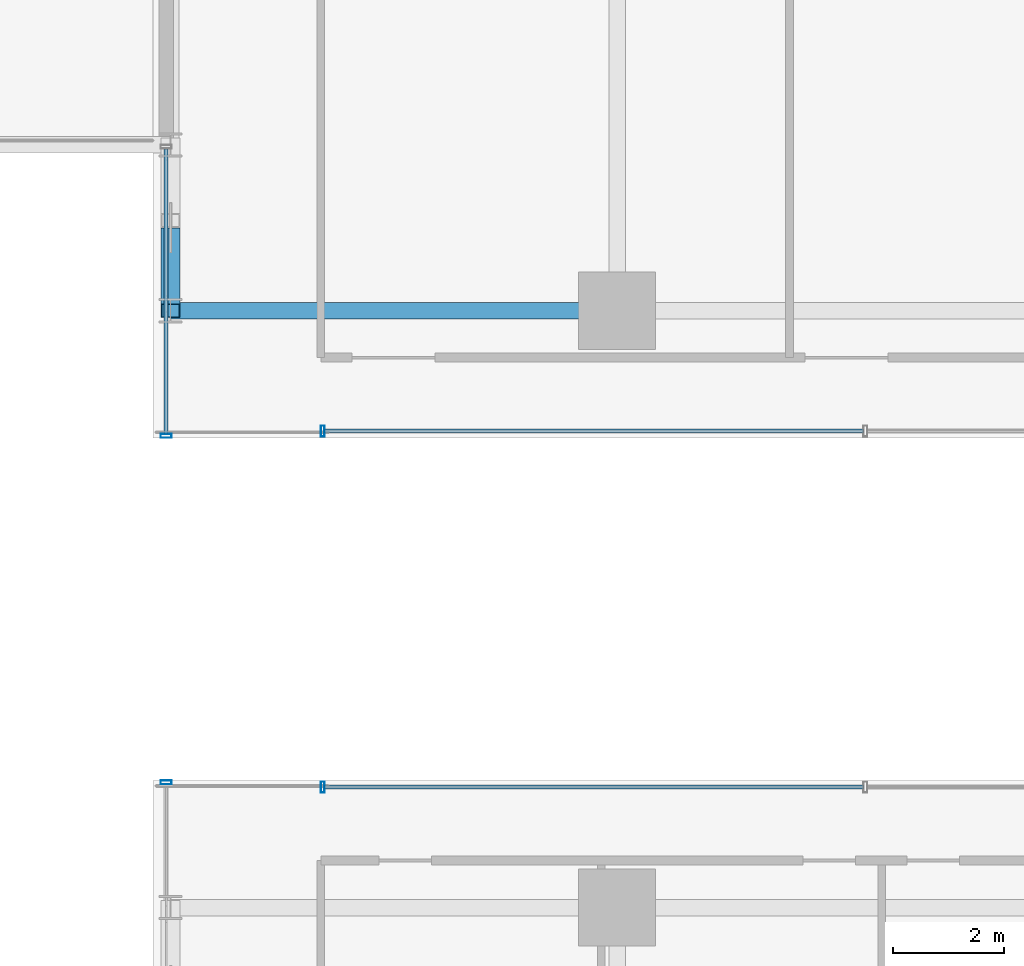
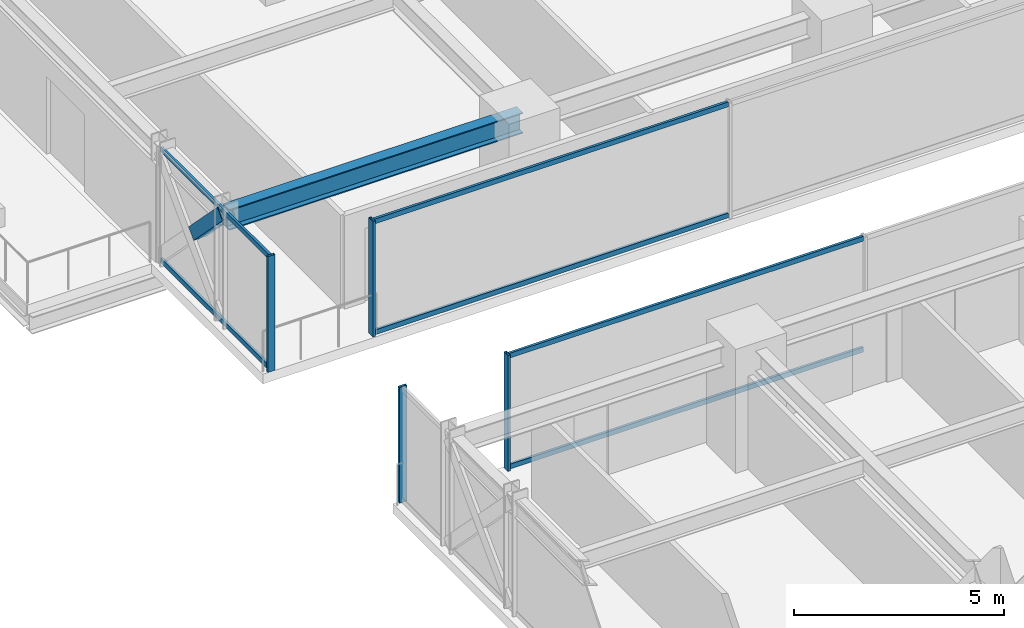
# One storey, part 7 of 43: 11 members, 1 beam, 4 elements without a shape of their own.
"""IFC4 building model written with IfcOpenShell, lengths in metres."""

from ifc_helpers import new_model, si_unit, direction, frame, origin, origin_2d, place, context, subcontext, project, spatial, hollow_rectangle, i_section, extrude, source, transform, mapped, material, material_profile, profile_set, type_object, element, aggregate, save


model = new_model("IFC4")

# Units and contexts
model_context = context("Model", 3, precision=1e-05, world=origin(), true_north=direction((0.0, 1.0)))
body_context = subcontext(model_context, "Body", "Model", "MODEL_VIEW")
ifc_project = project(units=[si_unit("LENGTHUNIT", "METRE"), si_unit("AREAUNIT", "SQUARE_METRE"), si_unit("VOLUMEUNIT", "CUBIC_METRE"), si_unit("PLANEANGLEUNIT", "RADIAN"), si_unit("MASSUNIT", "GRAM", prefix="KILO")], contexts=[model_context])

# Site, building, storey
site_placement = place(None, origin())
site = spatial("IfcSite", under=ifc_project, at=site_placement, CompositionType="ELEMENT")
building_placement = place(site_placement, origin())
building = spatial("IfcBuilding", under=site, at=building_placement, Name="Nahalor Promenade Grand Hotel", CompositionType="ELEMENT")
storey_placement = place(building_placement, frame((0.0, 0.0, 47.0)))
storey = spatial("IfcBuildingStorey", under=building, at=storey_placement, Name="L10", CompositionType="ELEMENT", Elevation=47.0)

# Beam
ifc_material_1 = material(Name="Steel S355JR", Category="steel")
ifc_material_profile_1 = material_profile(ifc_material_1, i_section(OverallWidth=0.3, OverallDepth=0.6, WebThickness=0.0155, FlangeThickness=0.03, at=origin_2d()), Name="HEB 600")
ifc_profile_set_1 = profile_set([ifc_material_profile_1], Name="Steel S355JR")
beam_type = type_object("IfcBeamType", Name="Beam-Girder-HEB600", PredefinedType="BEAM", material=ifc_profile_set_1)
shared_shape_1 = source(origin(), body_context, "Body", "SweptSolid", [
    extrude(i_section(OverallWidth=0.3, OverallDepth=0.6, WebThickness=0.0155, FlangeThickness=0.03, at=origin_2d()), origin(), (0.0, 0.0, 1.0), 8.080078125),
])
beam_placement = place(storey_placement, frame((-25.080078125, 5.39990234375, 3.070068359375), z_axis=(1.0, 0.0, 0.0), x_axis=(0.0, 1.0, 0.0)))
element("IfcBeam", 1, at=beam_placement, inside=storey, type_object=beam_type, Name="BM-L10-GX-2-0", PredefinedType="BEAM", context=body_context, shape_type="MappedRepresentation", body=[
    mapped(shared_shape_1, transform((0.0, 0.0, 0.0), scale=1.0)),
])

# Member
ifc_material_profile_2 = material_profile(ifc_material_1, hollow_rectangle(XDim=0.35, YDim=0.35, WallThickness=0.02, at=origin_2d()), Name="SHS 350x350x20")
ifc_profile_set_2 = profile_set([ifc_material_profile_2], Name="Steel S355JR")
member_type_1 = type_object("IfcMemberType", Name="Mem-VoidBrace-SHS350", PredefinedType="BRACE", material=ifc_profile_set_2)
shared_shape_2 = source(origin(), body_context, "Body", "SweptSolid", [
    extrude(hollow_rectangle(XDim=0.35, YDim=0.35, WallThickness=0.02, at=origin_2d()), origin(), (0.0, 0.0, 1.0), 1.959228515625),
])
member_1_placement = place(storey_placement, frame((-25.080078125, 6.769287109375, 1.81884765625), z_axis=(0.0, -0.698960471031, 0.715160303663), x_axis=(1.0, 0.0, 0.0)))
element("IfcMember", 2, at=member_1_placement, inside=storey, type_object=member_type_1, Name="EXO-L10-VX2-W1B", PredefinedType="BRACE", context=body_context, shape_type="MappedRepresentation", body=[
    mapped(shared_shape_2, transform((0.0, 0.0, 0.0), scale=1.0)),
])

# Curtain wall, members
ifc_material_2 = material(Name="Anodised Bronze Aluminium EN AW-6063 T6", Category="aluminium")
curtain_wall_type = type_object("IfcCurtainWallType", Name="CW3 Elliptical-Void Collar Unitised Curtain Wall", PredefinedType="USERDEFINED", material=ifc_material_2)
curtain_wall_1_placement = place(storey_placement, origin())
curtain_wall_1 = element("IfcCurtainWall", 3, at=curtain_wall_1_placement, inside=storey, type_object=curtain_wall_type, Name="L10 Curtain Wall CW-L10-VOID-WS1", ObjectType="UNITISED_CURTAIN_WALL", PredefinedType="USERDEFINED")
ifc_material_profile_3 = material_profile(ifc_material_2, hollow_rectangle(XDim=0.07, YDim=0.14, WallThickness=0.004, at=origin_2d()), Name="CWT 70x140x4")
ifc_profile_set_3 = profile_set([ifc_material_profile_3], Name="Anodised Bronze Aluminium EN AW-6063 T6")
member_type_2 = type_object("IfcMemberType", Name="CWT3 Void Collar Transom 70x140", PredefinedType="USERDEFINED", material=ifc_profile_set_3)
shared_shape_3 = source(origin(), body_context, "Body", "SweptSolid", [
    extrude(hollow_rectangle(XDim=0.07, YDim=0.14, WallThickness=0.004, at=origin_2d()), origin(), (0.0, 0.0, 1.0), 9.748291015625),
])
member_2_placement = place(storey_placement, frame((-22.2900390625, -3.219970703125, 0.070068359375), z_axis=(1.0, 0.0, 0.0), x_axis=(0.0, 1.0, 0.0)))
member_2 = element("IfcMember", 4, at=member_2_placement, type_object=member_type_2, Name="CW-L10-VOID-WS1 Transom 0-0", ObjectType="TRANSOM", PredefinedType="USERDEFINED", context=body_context, shape_type="MappedRepresentation", body=[
    mapped(shared_shape_3, transform((0.0, 0.0, 0.0), scale=1.0)),
])
member_3_placement = place(storey_placement, frame((-22.2900390625, -3.219970703125, 3.300048828125), z_axis=(1.0, 0.0, 0.0), x_axis=(0.0, 1.0, 0.0)))
member_3 = element("IfcMember", 5, at=member_3_placement, type_object=member_type_2, Name="CW-L10-VOID-WS1 Transom 0-1", ObjectType="TRANSOM", PredefinedType="USERDEFINED", context=body_context, shape_type="MappedRepresentation", body=[
    mapped(shared_shape_3, transform((0.0, 0.0, 0.0), scale=1.0)),
])

curtain_wall_2_placement = place(storey_placement, origin())
curtain_wall_2 = element("IfcCurtainWall", 6, at=curtain_wall_2_placement, inside=storey, type_object=curtain_wall_type, Name="L10 Curtain Wall CW-L10-VOID-WN1", ObjectType="UNITISED_CURTAIN_WALL", PredefinedType="USERDEFINED")
member_4_placement = place(storey_placement, frame((-22.2900390625, 3.219970703125, 0.070068359375), z_axis=(1.0, 0.0, 0.0), x_axis=(0.0, 1.0, 0.0)))
member_4 = element("IfcMember", 7, at=member_4_placement, type_object=member_type_2, Name="CW-L10-VOID-WN1 Transom 0-0", ObjectType="TRANSOM", PredefinedType="USERDEFINED", context=body_context, shape_type="MappedRepresentation", body=[
    mapped(shared_shape_3, transform((0.0, 0.0, 0.0), scale=1.0)),
])
member_5_placement = place(storey_placement, frame((-22.2900390625, 3.219970703125, 3.300048828125), z_axis=(1.0, 0.0, 0.0), x_axis=(0.0, 1.0, 0.0)))
member_5 = element("IfcMember", 8, at=member_5_placement, type_object=member_type_2, Name="CW-L10-VOID-WN1 Transom 0-1", ObjectType="TRANSOM", PredefinedType="USERDEFINED", context=body_context, shape_type="MappedRepresentation", body=[
    mapped(shared_shape_3, transform((0.0, 0.0, 0.0), scale=1.0)),
])

# Curtain wall, member
curtain_wall_3_placement = place(storey_placement, origin())
curtain_wall_3 = element("IfcCurtainWall", 9, at=curtain_wall_3_placement, inside=storey, type_object=curtain_wall_type, Name="L10 Curtain Wall CW-L10-W-1", ObjectType="UNITISED_CURTAIN_WALL", PredefinedType="USERDEFINED")
ifc_material_profile_4 = material_profile(ifc_material_2, hollow_rectangle(XDim=0.07, YDim=0.2, WallThickness=0.005, at=origin_2d()), Name="CWM 70x200x5")
ifc_profile_set_4 = profile_set([ifc_material_profile_4], Name="Anodised Bronze Aluminium EN AW-6063 T6")
member_type_3 = type_object("IfcMemberType", Name="CWM3 Void Collar Mullion 70x200", PredefinedType="MULLION", material=ifc_profile_set_4)
shared_shape_4 = source(origin(), body_context, "Body", "SweptSolid", [
    extrude(hollow_rectangle(XDim=0.07, YDim=0.2, WallThickness=0.005, at=origin_2d()), origin(), (0.0, 0.0, 1.0), 3.3701171875),
])
member_6_placement = place(storey_placement, frame((-25.159912109375, -3.135009765625, 0.0), z_axis=(0.0, 0.0, 1.0), x_axis=(0.0, 1.0, 0.0)))
member_6 = element("IfcMember", 10, at=member_6_placement, type_object=member_type_3, Name="CW-L10-W-1 Mullion 2", PredefinedType="MULLION", context=body_context, shape_type="MappedRepresentation", body=[
    mapped(shared_shape_4, transform((0.0, 0.0, 0.0), scale=1.0)),
])
aggregate(curtain_wall_3, [member_6])

curtain_wall_4_placement = place(storey_placement, origin())
curtain_wall_4 = element("IfcCurtainWall", 11, at=curtain_wall_4_placement, inside=storey, type_object=curtain_wall_type, Name="L10 Curtain Wall CW-L10-W-2", ObjectType="UNITISED_CURTAIN_WALL", PredefinedType="USERDEFINED")
member_7_placement = place(storey_placement, frame((-25.159912109375, 3.135009765625, 0.0), z_axis=(0.0, 0.0, 1.0), x_axis=(0.0, 1.0, 0.0)))
member_7 = element("IfcMember", 12, at=member_7_placement, type_object=member_type_3, Name="CW-L10-W-2 Mullion 0", PredefinedType="MULLION", context=body_context, shape_type="MappedRepresentation", body=[
    mapped(shared_shape_4, transform((0.0, 0.0, 0.0), scale=1.0)),
])

# Member
member_8_placement = place(storey_placement, frame((-22.324951171875, -3.219970703125, 0.0), z_axis=(0.0, 0.0, 1.0), x_axis=(1.0, 0.0, 0.0)))
member_8 = element("IfcMember", 13, at=member_8_placement, type_object=member_type_3, Name="CW-L10-VOID-WS1 Mullion 0", PredefinedType="MULLION", context=body_context, shape_type="MappedRepresentation", body=[
    mapped(shared_shape_4, transform((0.0, 0.0, 0.0), scale=1.0)),
])

aggregate(curtain_wall_1, [member_8, member_2, member_3])

member_9_placement = place(storey_placement, frame((-22.324951171875, 3.219970703125, 0.0), z_axis=(0.0, 0.0, 1.0), x_axis=(1.0, 0.0, 0.0)))
member_9 = element("IfcMember", 14, at=member_9_placement, type_object=member_type_3, Name="CW-L10-VOID-WN1 Mullion 0", PredefinedType="MULLION", context=body_context, shape_type="MappedRepresentation", body=[
    mapped(shared_shape_4, transform((0.0, 0.0, 0.0), scale=1.0)),
])

aggregate(curtain_wall_2, [member_9, member_4, member_5])

shared_shape_5 = source(origin(), body_context, "Body", "SweptSolid", [
    extrude(hollow_rectangle(XDim=0.07, YDim=0.14, WallThickness=0.004, at=origin_2d()), origin(), (0.0, 0.0, 1.0), 5.16015625),
])
member_10_placement = place(storey_placement, frame((-25.159912109375, 3.169921875, 0.070068359375), z_axis=(0.0, 1.0, 0.0), x_axis=(-1.0, 0.0, 0.0)))
member_10 = element("IfcMember", 15, at=member_10_placement, type_object=member_type_2, Name="CW-L10-W-2 Transom 0-0", ObjectType="TRANSOM", PredefinedType="USERDEFINED", context=body_context, shape_type="MappedRepresentation", body=[
    mapped(shared_shape_5, transform((0.0, 0.0, 0.0), scale=1.0)),
])

member_11_placement = place(storey_placement, frame((-25.159912109375, 3.169921875, 3.300048828125), z_axis=(0.0, 1.0, 0.0), x_axis=(-1.0, 0.0, 0.0)))
member_11 = element("IfcMember", 16, at=member_11_placement, type_object=member_type_2, Name="CW-L10-W-2 Transom 0-1", ObjectType="TRANSOM", PredefinedType="USERDEFINED", context=body_context, shape_type="MappedRepresentation", body=[
    mapped(shared_shape_5, transform((0.0, 0.0, 0.0), scale=1.0)),
])

aggregate(curtain_wall_4, [member_7, member_10, member_11])

save(model, "model.ifc")
